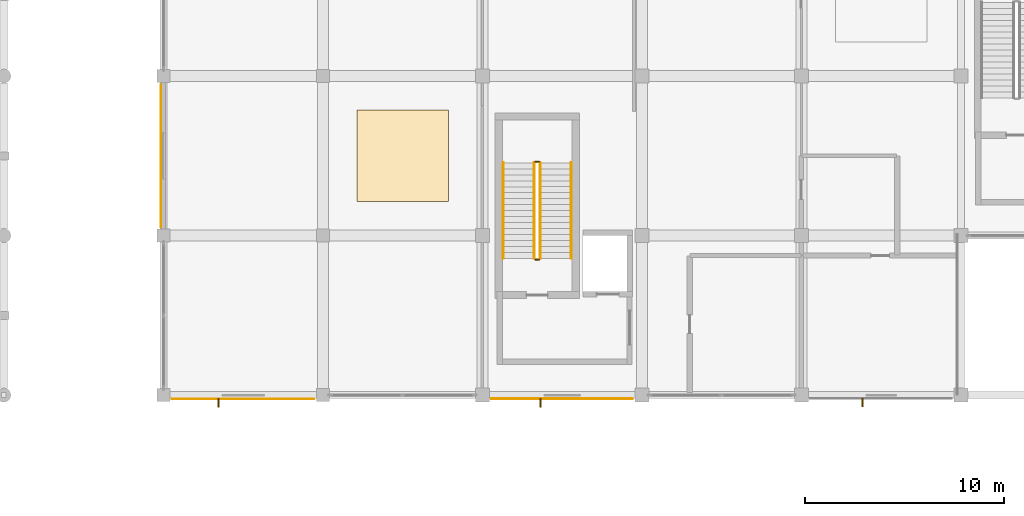
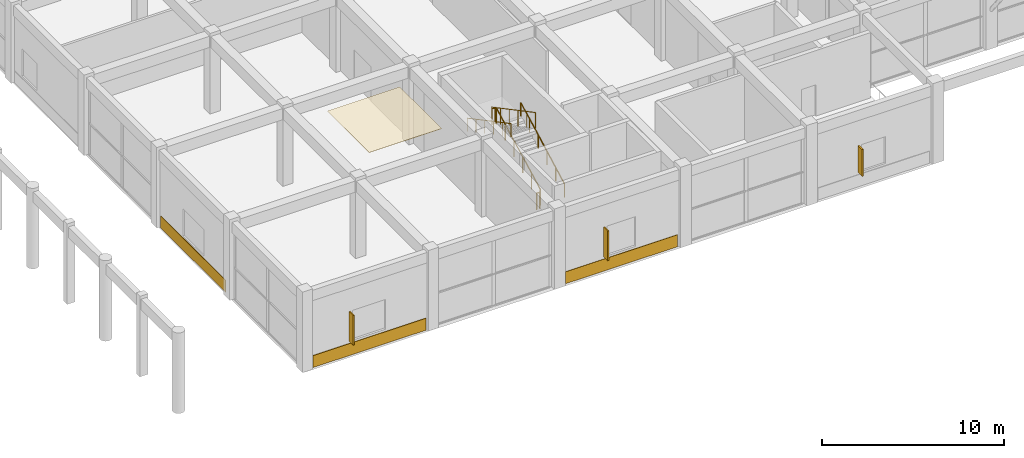
# One storey, part 58 of 69: 6 railings, 4 coverings, 3 shading devices.
"""IFC4 building model written with IfcOpenShell, lengths in metres."""

from ifc_helpers import new_model, si_unit, direction, frame, origin, origin_2d, place, context, subcontext, project, spatial, rectangle, circle, extrude, material, layer, layer_set, type_object, element, save


model = new_model("IFC4")

# Units and contexts
model_context = context("Model", 3, precision=1e-05, world=origin(), true_north=direction((0.0, 1.0)))
body_context = subcontext(model_context, "Body", "Model", "MODEL_VIEW")
ifc_project = project(units=[si_unit("LENGTHUNIT", "METRE"), si_unit("AREAUNIT", "SQUARE_METRE"), si_unit("VOLUMEUNIT", "CUBIC_METRE"), si_unit("PLANEANGLEUNIT", "RADIAN"), si_unit("MASSUNIT", "GRAM", prefix="KILO")], contexts=[model_context])

# Site, building, storey
site_placement = place(None, origin())
site = spatial("IfcSite", under=ifc_project, at=site_placement, CompositionType="ELEMENT")
building_placement = place(site_placement, origin())
building = spatial("IfcBuilding", under=site, at=building_placement, Name="Kenh Van Central Station", CompositionType="ELEMENT")
storey_placement = place(building_placement, frame((0.0, 0.0, 5.39990234375)))
storey = spatial("IfcBuildingStorey", under=building, at=storey_placement, Name="L01", CompositionType="ELEMENT", Elevation=5.39990234375)

# Coverings
ifc_material_1 = material(Name="Perforated acoustic mineral ceiling board")
ifc_layer_1 = layer(ifc_material_1, 0.02490234375, Name="Perforated acoustic mineral ceiling board")
ifc_layer_set_1 = layer_set([ifc_layer_1], Name="Perforated acoustic mineral ceiling board")
covering_type_1 = type_object("IfcCoveringType", Name="COV-CEIL-ACOUST", PredefinedType="CEILING", material=ifc_layer_set_1)
covering_1_placement = place(storey_placement, frame((20.0, 20.0, 5.162109375), z_axis=(0.0, 0.0, 1.0), x_axis=(1.0, 0.0, 0.0)))
element("IfcCovering", 1, at=covering_1_placement, inside=storey, type_object=covering_type_1, Name="L01 acoustic ceiling panel 034", PredefinedType="CEILING", context=body_context, shape_type="SweptSolid", body=[
    extrude(rectangle(XDim=4.60009765625, YDim=4.60009765625, at=origin_2d()), origin(), (0.0, 0.0, 1.0), 0.02490234375),
])
ifc_material_2 = material(Name="Saigon buff sandstone cladding", Category="masonry")
ifc_layer_2 = layer(ifc_material_2, 0.0400390625, Name="Saigon buff sandstone cladding")
ifc_layer_set_2 = layer_set([ifc_layer_2], Name="Saigon buff sandstone cladding")
covering_type_2 = type_object("IfcCoveringType", Name="COV-CLAD-BUFF", PredefinedType="CLADDING", material=ifc_layer_set_2)
covering_2_placement = place(storey_placement, frame((12.0, 7.81005859375, 0.02001953125), z_axis=(0.0, 0.0, 1.0), x_axis=(1.0, 0.0, 0.0)))
element("IfcCovering", 2, at=covering_2_placement, inside=storey, type_object=covering_type_2, Name="L01 facade cladding 021", PredefinedType="CLADDING", context=body_context, shape_type="SweptSolid", body=[
    extrude(rectangle(XDim=7.14990234375, YDim=0.0400390625, at=origin_2d()), origin(), (0.0, 0.0, 1.0), 0.800048828125),
])
ifc_material_3 = material(Name="Glazed terracotta rainscreen cladding", Category="masonry")
ifc_layer_3 = layer(ifc_material_3, 0.034912109375, Name="Glazed terracotta rainscreen cladding")
ifc_layer_set_3 = layer_set([ifc_layer_3], Name="Glazed terracotta rainscreen cladding")
covering_type_3 = type_object("IfcCoveringType", Name="COV-CLAD-TERRA", PredefinedType="CLADDING", material=ifc_layer_set_3)
covering_3_placement = place(storey_placement, frame((28.0, 7.822509765625, 0.02001953125), z_axis=(0.0, 0.0, 1.0), x_axis=(1.0, 0.0, 0.0)))
element("IfcCovering", 3, at=covering_3_placement, inside=storey, type_object=covering_type_3, Name="L01 facade cladding 022", PredefinedType="CLADDING", context=body_context, shape_type="SweptSolid", body=[
    extrude(rectangle(XDim=7.10009765625, YDim=0.034912109375, at=origin_2d()), origin(), (0.0, 0.0, 1.0), 0.800048828125),
])
covering_4_placement = place(storey_placement, frame((7.87744140625, 20.0, 0.02001953125), z_axis=(0.0, 0.0, 1.0), x_axis=(0.0, -1.0, 0.0)))
element("IfcCovering", 4, at=covering_4_placement, inside=storey, type_object=covering_type_3, Name="L01 facade cladding 026", PredefinedType="CLADDING", context=body_context, shape_type="SweptSolid", body=[
    extrude(rectangle(XDim=7.14990234375, YDim=0.034912109375, at=origin_2d()), origin(), (0.0, 0.0, 1.0), 0.800048828125),
])

# Railings
ifc_material_4 = material(Name="Champagne anodised aluminium", Category="aluminium")
railing_type_1 = type_object("IfcRailingType", Name="RAIL-CORE-GRD110", PredefinedType="GUARDRAIL", material=ifc_material_4)
railing_1_placement = place(storey_placement, frame((26.89990234375, 14.85009765625, 0.158935546875)))
element("IfcRailing", 5, at=railing_1_placement, inside=storey, type_object=railing_type_1, Name="L01 ST-01 stair guard 1", PredefinedType="GUARDRAIL", context=body_context, shape_type="SweptSolid", body=[
    extrude(circle(Radius=0.02392578125, at=origin_2d()), frame((0.0, 0.0, 1.076171875), z_axis=(0.0, 0.883773701108, 0.467914570439), x_axis=(-1.0, 0.0, 0.0)), (0.0, 0.0, 1.0), 5.43115234375),
    extrude(circle(Radius=0.02099609375, at=origin_2d()), origin(), (0.0, 0.0, 1.0), 1.052001953125),
    extrude(circle(Radius=0.02099609375, at=origin_2d()), frame((0.0, 0.9599609375, 0.50830078125)), (0.0, 0.0, 1.0), 1.052001953125),
    extrude(circle(Radius=0.02099609375, at=origin_2d()), frame((0.0, 1.919921875, 1.0166015625)), (0.0, 0.0, 1.0), 1.052001953125),
    extrude(circle(Radius=0.02099609375, at=origin_2d()), frame((0.0, 2.8798828125, 1.524658203125)), (0.0, 0.0, 1.0), 1.052001953125),
    extrude(circle(Radius=0.02099609375, at=origin_2d()), frame((0.0, 3.83984375, 2.032958984375)), (0.0, 0.0, 1.0), 1.052001953125),
    extrude(circle(Radius=0.02099609375, at=origin_2d()), frame((0.0, 4.7998046875, 2.541259765625)), (0.0, 0.0, 1.0), 1.052001953125),
])
railing_2_placement = place(storey_placement, frame((26.85009765625, 19.699951171875, 2.7001953125)))
element("IfcRailing", 6, at=railing_2_placement, inside=storey, type_object=railing_type_1, Name="L01 ST-01 stair guard 2", PredefinedType="GUARDRAIL", context=body_context, shape_type="SweptSolid", body=[
    extrude(circle(Radius=0.02392578125, at=origin_2d()), frame((0.0, 0.0, 1.076171875), z_axis=(-1.0, 0.0, 0.0), x_axis=(0.0, -1.0, 0.0)), (0.0, 0.0, 1.0), 0.2001953125),
    extrude(circle(Radius=0.02099609375, at=origin_2d()), origin(), (0.0, 0.0, 1.0), 1.052001953125),
    extrude(circle(Radius=0.02099609375, at=origin_2d()), frame((-0.2001953125, 0.0, 0.0)), (0.0, 0.0, 1.0), 1.052001953125),
])
railing_3_placement = place(storey_placement, frame((26.60009765625, 19.64990234375, 2.85888671875)))
element("IfcRailing", 7, at=railing_3_placement, inside=storey, type_object=railing_type_1, Name="L01 ST-01 stair guard 3", PredefinedType="GUARDRAIL", context=body_context, shape_type="SweptSolid", body=[
    extrude(circle(Radius=0.02392578125, at=origin_2d()), frame((0.0, 0.0, 1.076171875), z_axis=(0.0, -0.883773701108, 0.467914570439), x_axis=(1.0, 0.0, 0.0)), (0.0, 0.0, 1.0), 5.43115234375),
    extrude(circle(Radius=0.02099609375, at=origin_2d()), origin(), (0.0, 0.0, 1.0), 1.052001953125),
    extrude(circle(Radius=0.02099609375, at=origin_2d()), frame((0.0, -0.9599609375, 0.50830078125)), (0.0, 0.0, 1.0), 1.052001953125),
    extrude(circle(Radius=0.02099609375, at=origin_2d()), frame((0.0, -1.919921875, 1.0166015625)), (0.0, 0.0, 1.0), 1.052001953125),
    extrude(circle(Radius=0.02099609375, at=origin_2d()), frame((0.0, -2.8798828125, 1.524658203125)), (0.0, 0.0, 1.0), 1.052001953125),
    extrude(circle(Radius=0.02099609375, at=origin_2d()), frame((0.0, -3.83984375, 2.032958984375)), (0.0, 0.0, 1.0), 1.052001953125),
    extrude(circle(Radius=0.02099609375, at=origin_2d()), frame((0.0, -4.7998046875, 2.541259765625)), (0.0, 0.0, 1.0), 1.052001953125),
])
railing_4_placement = place(storey_placement, frame((26.85009765625, 14.800048828125, 0.0)))
element("IfcRailing", 8, at=railing_4_placement, inside=storey, type_object=railing_type_1, Name="L01 ST-01 stair guard 4", PredefinedType="GUARDRAIL", context=body_context, shape_type="SweptSolid", body=[
    extrude(circle(Radius=0.02392578125, at=origin_2d()), frame((0.0, 0.0, 1.076171875), z_axis=(-1.0, 0.0, 0.0), x_axis=(0.0, -1.0, 0.0)), (0.0, 0.0, 1.0), 0.2001953125),
    extrude(circle(Radius=0.02099609375, at=origin_2d()), origin(), (0.0, 0.0, 1.0), 1.052001953125),
    extrude(circle(Radius=0.02099609375, at=origin_2d()), frame((-0.2001953125, 0.0, 0.0)), (0.0, 0.0, 1.0), 1.052001953125),
])
railing_type_2 = type_object("IfcRailingType", Name="RAIL-CORE-HND90", PredefinedType="HANDRAIL", material=ifc_material_4)
railing_5_placement = place(storey_placement, frame((28.449951171875, 14.85009765625, 0.158935546875)))
element("IfcRailing", 9, at=railing_5_placement, inside=storey, type_object=railing_type_2, Name="L01 ST-01 stair handrail 1", PredefinedType="HANDRAIL", context=body_context, shape_type="SweptSolid", body=[
    extrude(circle(Radius=0.02392578125, at=origin_2d()), frame((0.0, 0.0, 0.8759765625), z_axis=(0.0, 0.883773701108, 0.467914570439), x_axis=(-1.0, 0.0, 0.0)), (0.0, 0.0, 1.0), 5.43115234375),
    extrude(circle(Radius=0.02099609375, at=origin_2d()), origin(), (0.0, 0.0, 1.0), 0.851806640625),
    extrude(circle(Radius=0.02099609375, at=origin_2d()), frame((0.0, 0.9599609375, 0.50830078125)), (0.0, 0.0, 1.0), 0.851806640625),
    extrude(circle(Radius=0.02099609375, at=origin_2d()), frame((0.0, 1.919921875, 1.0166015625)), (0.0, 0.0, 1.0), 0.851806640625),
    extrude(circle(Radius=0.02099609375, at=origin_2d()), frame((0.0, 2.8798828125, 1.524658203125)), (0.0, 0.0, 1.0), 0.851806640625),
    extrude(circle(Radius=0.02099609375, at=origin_2d()), frame((0.0, 3.83984375, 2.032958984375)), (0.0, 0.0, 1.0), 0.851806640625),
    extrude(circle(Radius=0.02099609375, at=origin_2d()), frame((0.0, 4.7998046875, 2.541259765625)), (0.0, 0.0, 1.0), 0.851806640625),
])
railing_6_placement = place(storey_placement, frame((25.050048828125, 19.64990234375, 2.85888671875)))
element("IfcRailing", 10, at=railing_6_placement, inside=storey, type_object=railing_type_2, Name="L01 ST-01 stair handrail 2", PredefinedType="HANDRAIL", context=body_context, shape_type="SweptSolid", body=[
    extrude(circle(Radius=0.02392578125, at=origin_2d()), frame((0.0, 0.0, 0.8759765625), z_axis=(0.0, -0.883773701108, 0.467914570439), x_axis=(1.0, 0.0, 0.0)), (0.0, 0.0, 1.0), 5.43115234375),
    extrude(circle(Radius=0.02099609375, at=origin_2d()), origin(), (0.0, 0.0, 1.0), 0.851806640625),
    extrude(circle(Radius=0.02099609375, at=origin_2d()), frame((0.0, -0.9599609375, 0.50830078125)), (0.0, 0.0, 1.0), 0.851806640625),
    extrude(circle(Radius=0.02099609375, at=origin_2d()), frame((0.0, -1.919921875, 1.0166015625)), (0.0, 0.0, 1.0), 0.851806640625),
    extrude(circle(Radius=0.02099609375, at=origin_2d()), frame((0.0, -2.8798828125, 1.524658203125)), (0.0, 0.0, 1.0), 0.851806640625),
    extrude(circle(Radius=0.02099609375, at=origin_2d()), frame((0.0, -3.83984375, 2.032958984375)), (0.0, 0.0, 1.0), 0.851806640625),
    extrude(circle(Radius=0.02099609375, at=origin_2d()), frame((0.0, -4.7998046875, 2.541259765625)), (0.0, 0.0, 1.0), 0.851806640625),
])

# Shading devices
ifc_material_5 = material(Name="Precast concrete C40/50", Category="concrete")
shading_device_type = type_object("IfcShadingDeviceType", Name="SHD-FIN-SHT", PredefinedType="SHUTTER", material=ifc_material_5)
for number, where, z_axis, x_axis, name in (
    (11, (10.77001953125, 7.610107421875, 0.9501953125), (0.0, 0.0, 1.0), (0.0, -1.0, 0.0), "L01 vertical brise-soleil fin 004"),
    (12, (26.919921875, 7.6201171875, 0.9501953125), (0.0, 0.0, 1.0), (0.0, -1.0, 0.0), "L01 vertical brise-soleil fin 005"),
):
    element("IfcShadingDevice", number, at=place(storey_placement, frame(where, z_axis=z_axis, x_axis=x_axis)), inside=storey, type_object=shading_device_type, Name=name, PredefinedType="SHUTTER", context=body_context, shape_type="SweptSolid", body=[
        extrude(rectangle(XDim=0.449951171875, YDim=0.080078125, at=origin_2d()), origin(), (0.0, 0.0, 1.0), 2.0),
    ])
shading_device_placement = place(storey_placement, frame((43.070068359375, 7.6298828125, 0.9501953125), z_axis=(0.0, 0.0, 1.0), x_axis=(0.0, -1.0, 0.0)))
element("IfcShadingDevice", 13, at=shading_device_placement, inside=storey, type_object=shading_device_type, Name="L01 vertical brise-soleil fin 006", PredefinedType="SHUTTER", context=body_context, shape_type="SweptSolid", body=[
    extrude(rectangle(XDim=0.449951171875, YDim=0.080078125, at=origin_2d()), origin(), (0.0, 0.0, 1.0), 1.800048828125),
])

save(model, "model.ifc")
